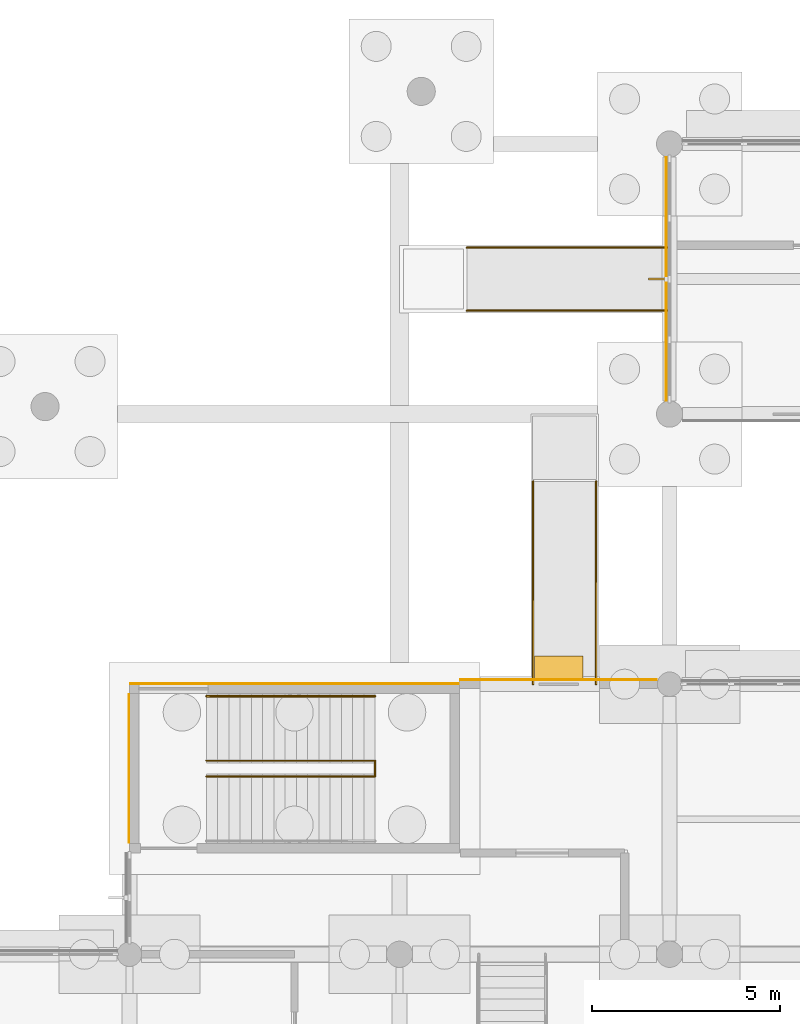
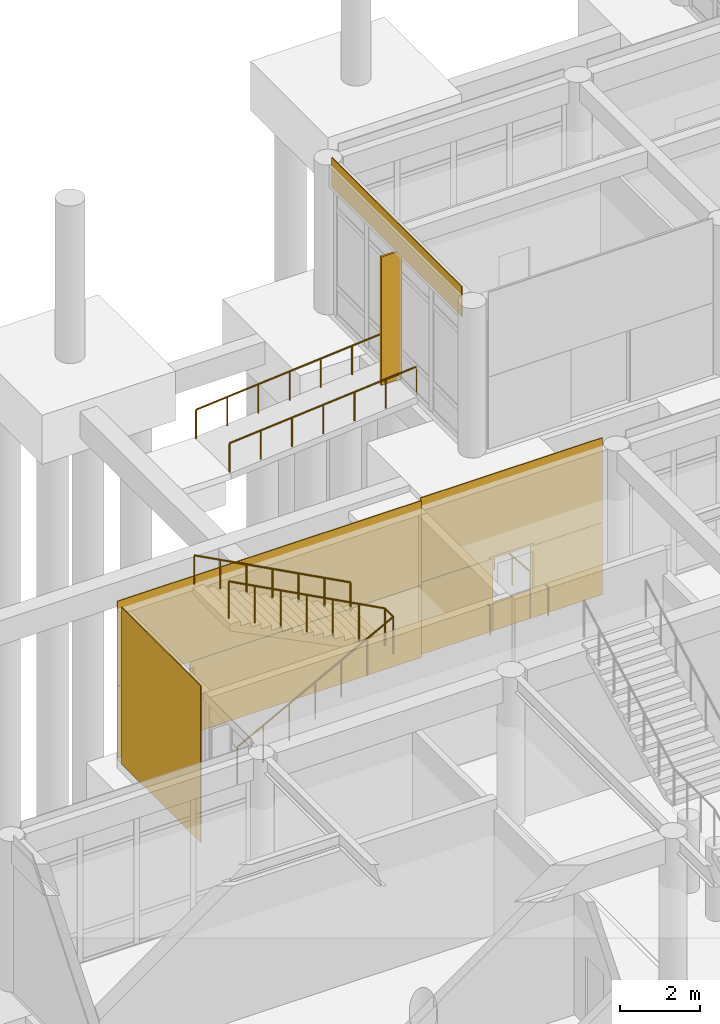
# One storey, part 88 of 103: 9 coverings, 6 railings, 2 shading devices.
"""IFC4 building model written with IfcOpenShell, lengths in metres."""

import ifcopenshell
import ifcopenshell.guid

model = None  # the IFC model being written
_history = None  # IfcOwnerHistory: only IFC2X3 demands one
_inside = {}  # id of a spatial element -> (the spatial element, [elements in it])
_under = {}  # id of a project, library or spatial element -> (it, [spatial elements below it])
_declared = {}  # id of a project -> (the project, [libraries it declares])
_typed = {}  # id of a type object -> (the type object, [elements of that type])
_made_of = {}  # id of a material, layer set ... -> (it, [elements and type objects made of it])


def new_model(schema):
    """Start an empty IFC model of exactly this schema.

    Asked for "IFC4X3", IfcOpenShell would pick the latest addendum, in which some entities
    have other attributes; the version numbers below select the first issue.
    IFC2X3 requires an IfcOwnerHistory on every rooted entity: one is made here for all.
    """
    global model, _history
    if schema == "IFC4X3":
        model = ifcopenshell.file(schema_version=(4, 3, 0, 0))
    else:
        model = ifcopenshell.file(schema=schema)
    _inside.clear()
    _under.clear()
    _declared.clear()
    _typed.clear()
    _made_of.clear()
    _history = None
    if model.schema == "IFC2X3":
        org = make("IfcOrganization", Name="unknown")
        user = make(
            "IfcPersonAndOrganization",
            ThePerson=make("IfcPerson", FamilyName="unknown"),
            TheOrganization=org,
        )
        app = make(
            "IfcApplication",
            ApplicationDeveloper=org,
            Version="unknown",
            ApplicationFullName="unknown",
            ApplicationIdentifier="unknown",
        )
        _history = make(
            "IfcOwnerHistory",
            OwningUser=user,
            OwningApplication=app,
            ChangeAction="ADDED",
            CreationDate=0,
        )
    return model


def make(cls, **values):
    """One entity of the class cls with the attributes given. An attribute that is None is left unset."""
    return model.create_entity(
        cls, **{name: value for name, value in values.items() if value is not None}
    )


def rooted(cls, **values):
    """An entity with a GlobalId (a new one), such as an element, a storey or a relation."""
    return make(cls, GlobalId=ifcopenshell.guid.new(), OwnerHistory=_history, **values)


def si_unit(unit_type, name, prefix=None):
    """IfcSIUnit, for example si_unit("LENGTHUNIT", "METRE", prefix="MILLI")."""
    return make("IfcSIUnit", UnitType=unit_type, Prefix=prefix, Name=name)


def assignment(units):
    """IfcUnitAssignment: the units of a project."""
    return None if units is None else make("IfcUnitAssignment", Units=units)


def point(xyz):
    """IfcCartesianPoint."""
    return None if xyz is None else make("IfcCartesianPoint", Coordinates=xyz)


def direction(xyz):
    """IfcDirection."""
    return None if xyz is None else make("IfcDirection", DirectionRatios=xyz)


def frame(location, z_axis=None, x_axis=None):
    """IfcAxis2Placement3D, a coordinate frame: its origin and axes. An axis left out is left unset."""
    return make(
        "IfcAxis2Placement3D",
        Location=point(location),
        Axis=direction(z_axis),
        RefDirection=direction(x_axis),
    )


def frame_2d(location, x_axis=None):
    """IfcAxis2Placement2D, a coordinate frame in the plane: its origin and x axis."""
    return make(
        "IfcAxis2Placement2D", Location=point(location), RefDirection=direction(x_axis)
    )


def origin():
    """The frame at (0, 0, 0) with its axes left unset."""
    return frame((0.0, 0.0, 0.0))


def origin_2d():
    """The frame at (0, 0) in the plane with its x axis left unset."""
    return frame_2d((0.0, 0.0))


def place(relative_to, where):
    """IfcLocalPlacement: puts the frame where relative to a parent placement (None: the world)."""
    return make(
        "IfcLocalPlacement", PlacementRelTo=relative_to, RelativePlacement=where
    )


def context(
    kind, dimensions, precision=None, world=None, true_north=None, identifier=None
):
    """IfcGeometricRepresentationContext, for example the 3D "Model" context."""
    return make(
        "IfcGeometricRepresentationContext",
        ContextIdentifier=identifier,
        ContextType=kind,
        CoordinateSpaceDimension=dimensions,
        Precision=precision,
        WorldCoordinateSystem=world,
        TrueNorth=true_north,
    )


def subcontext(parent, identifier, kind, view, scale=None):
    """IfcGeometricRepresentationSubContext, for example "Body" below "Model"."""
    return make(
        "IfcGeometricRepresentationSubContext",
        ContextIdentifier=identifier,
        ContextType=kind,
        ParentContext=parent,
        TargetScale=scale,
        TargetView=view,
    )


def project(units=None, contexts=None):
    """IfcProject with its units and contexts."""
    return rooted(
        "IfcProject",
        Name="project",
        RepresentationContexts=contexts,
        UnitsInContext=assignment(units),
    )


def spatial(cls, under=None, at=None, **own):
    """A site, building, storey or space (cls), placed at a placement, below another one or the project."""
    s = rooted(cls, ObjectPlacement=at, **own)
    if under is not None:
        _under.setdefault(under.id(), (under, []))[1].append(s)
    return s


def profile(cls, at=None, kind="AREA", **sizes):
    """A parametric profile (cls). Its sizes go by their IFC names, for example OverallWidth=200.0."""
    return make(cls, ProfileType=kind, Position=at, **sizes)


def rectangle(**sizes):
    """IfcRectangleProfileDef."""
    return profile("IfcRectangleProfileDef", **sizes)


def circle(**sizes):
    """IfcCircleProfileDef."""
    return profile("IfcCircleProfileDef", **sizes)


def extrude(swept, where, along, depth):
    """IfcExtrudedAreaSolid: the profile swept, set in the frame where, extruded along a direction by depth."""
    return make(
        "IfcExtrudedAreaSolid",
        SweptArea=swept,
        Position=where,
        ExtrudedDirection=direction(along),
        Depth=depth,
    )


def shape(context_of_items, identifier, shape_type, items):
    """IfcShapeRepresentation: the items that make up one representation, for example the "Body"."""
    return make(
        "IfcShapeRepresentation",
        ContextOfItems=context_of_items,
        RepresentationIdentifier=identifier,
        RepresentationType=shape_type,
        Items=items,
    )


def material(Name=None, Category=None):
    """IfcMaterial."""
    return make("IfcMaterial", Name=Name, Category=Category)


def layer(
    of_material, thickness, ventilated=None, Name=None, Category=None, Priority=None
):
    """IfcMaterialLayer: one layer of a wall or slab, of a material (None: an air gap)."""
    return make(
        "IfcMaterialLayer",
        Material=of_material,
        LayerThickness=thickness,
        IsVentilated=ventilated,
        Name=Name,
        Category=Category,
        Priority=Priority,
    )


def layer_set(layers, Name=None):
    """IfcMaterialLayerSet."""
    return make("IfcMaterialLayerSet", MaterialLayers=layers, LayerSetName=Name)


def made_of(thing, what):
    """Note that an element or type object is made of a material, layer set ...; save() writes the relation."""
    if what is not None:
        _made_of.setdefault(what.id(), (what, []))[1].append(thing)
    return thing


def type_object(cls, material=None, **own):
    """A type object (cls), such as IfcWallType, which elements share."""
    return made_of(rooted(cls, **own), material)


def element(
    cls,
    number,
    at=None,
    inside=None,
    cuts=None,
    type_object=None,
    material=None,
    context=None,
    identifier="Body",
    shape_type=None,
    held_by="IfcProductDefinitionShape",
    body=None,
    shapes=None,
    **own,
):
    """One element of the class cls, such as IfcWall. Its Tag is "e" and its number.

    at: its placement. inside: the storey or other place that contains it. cuts: it is an
    opening in that element (IfcRelVoidsElement). A single representation is given by context,
    identifier, shape_type and body (its items); several are given by shapes. held_by: the class
    of the entity that holds the representations. save() writes the other relations.
    """
    e = rooted(cls, Tag="e%d" % number, ObjectPlacement=at, **own)
    if body is not None:
        shapes = [shape(context, identifier, shape_type, body)]
    if shapes is not None:
        e.Representation = make(held_by, Representations=shapes)
    if inside is not None:
        _inside.setdefault(inside.id(), (inside, []))[1].append(e)
    if cuts is not None:
        rooted(
            "IfcRelVoidsElement", RelatingBuildingElement=cuts, RelatedOpeningElement=e
        )
    if type_object is not None:
        _typed.setdefault(type_object.id(), (type_object, []))[1].append(e)
    return made_of(e, material)


def aggregate(whole, parts):
    """IfcRelAggregates: a whole, such as a stair, and the parts it consists of."""
    return rooted("IfcRelAggregates", RelatingObject=whole, RelatedObjects=parts)


def save(model, path):
    """Write the relations noted so far, then the file.

    IfcRelAggregates (storeys below a building ...), IfcRelContainedInSpatialStructure (elements
    in a storey), IfcRelDefinesByType, IfcRelAssociatesMaterial and IfcRelDeclares: one each for
    every whole, place, type object, material and project.
    """
    for whole, parts in _under.values():
        aggregate(whole, parts)
    for where, things in _inside.values():
        rooted(
            "IfcRelContainedInSpatialStructure",
            RelatedElements=things,
            RelatingStructure=where,
        )
    for kind, things in _typed.values():
        rooted("IfcRelDefinesByType", RelatedObjects=things, RelatingType=kind)
    for what, things in _made_of.values():
        rooted("IfcRelAssociatesMaterial", RelatedObjects=things, RelatingMaterial=what)
    for by, libraries in _declared.values():
        rooted("IfcRelDeclares", RelatingContext=by, RelatedDefinitions=libraries)
    model.write(path)


model = new_model("IFC4")

# Units and contexts
model_context = context("Model", 3, precision=1e-05, world=origin(), true_north=direction((0.0, 1.0)))
body_context = subcontext(model_context, "Body", "Model", "MODEL_VIEW")
ifc_project = project(units=[si_unit("LENGTHUNIT", "METRE"), si_unit("AREAUNIT", "SQUARE_METRE"), si_unit("VOLUMEUNIT", "CUBIC_METRE"), si_unit("PLANEANGLEUNIT", "RADIAN"), si_unit("MASSUNIT", "GRAM", prefix="KILO")], contexts=[model_context])

# Site, building, storey
site_placement = place(None, origin())
site = spatial("IfcSite", under=ifc_project, at=site_placement, CompositionType="ELEMENT")
building_placement = place(site_placement, origin())
building = spatial("IfcBuilding", under=site, at=building_placement, Name="Namkhue Oval Health Centre", CompositionType="ELEMENT")
storey_placement = place(building_placement, origin())
storey = spatial("IfcBuildingStorey", under=building, at=storey_placement, Name="L00", CompositionType="ELEMENT", Elevation=0.0)

# Railings
ifc_material_1 = material(Name="Brushed stainless steel 304 tubular handrail", Category="steel")
railing_type_1 = type_object("IfcRailingType", Name="EXTERIOR RAMP HANDRAIL 900", PredefinedType="HANDRAIL", material=ifc_material_1)
for number, where, name in (
    (1, (34.0400390625, 88.199951171875, -0.449951171875), "Health Cafe North Forecourt Ramp Handrail L"),
    (2, (32.360107421875, 88.199951171875, -0.449951171875), "Health Cafe North Forecourt Ramp Handrail R"),
):
    element("IfcRailing", number, at=place(storey_placement, frame(where)), inside=storey, type_object=railing_type_1, Name=name, PredefinedType="HANDRAIL", context=body_context, shape_type="SweptSolid", body=[
        extrude(circle(Radius=0.02392578125, at=origin_2d()), frame((0.0, 0.0, 0.8759765625), z_axis=(0.0, -0.996546379678, 0.083038022323), x_axis=(1.0, 0.0, 0.0)), (0.0, 0.0, 1.0), 5.418701171875),
        extrude(circle(Radius=0.02099609375, at=origin_2d()), origin(), (0.0, 0.0, 1.0), 0.851806640625),
        extrude(circle(Radius=0.02099609375, at=origin_2d()), frame((0.0, -0.89990234375, 0.074951171875)), (0.0, 0.0, 1.0), 0.851806640625),
        extrude(circle(Radius=0.02099609375, at=origin_2d()), frame((0.0, -1.800048828125, 0.14990234375)), (0.0, 0.0, 1.0), 0.851806640625),
        extrude(circle(Radius=0.02099609375, at=origin_2d()), frame((0.0, -2.699951171875, 0.22509765625)), (0.0, 0.0, 1.0), 0.851806640625),
        extrude(circle(Radius=0.02099609375, at=origin_2d()), frame((0.0, -3.599853515625, 0.300048828125)), (0.0, 0.0, 1.0), 0.851806640625),
        extrude(circle(Radius=0.02099609375, at=origin_2d()), frame((0.0, -4.5, 0.375)), (0.0, 0.0, 1.0), 0.851806640625),
        extrude(circle(Radius=0.02099609375, at=origin_2d()), frame((0.0, -5.39990234375, 0.449951171875)), (0.0, 0.0, 1.0), 0.851806640625),
    ])
for number, where, name in (
    (3, (30.60009765625, 94.43994140625, -0.449951171875), "North GP Clinic West Arrival Ramp Handrail L"),
    (4, (30.60009765625, 92.760009765625, -0.449951171875), "North GP Clinic West Arrival Ramp Handrail R"),
):
    element("IfcRailing", number, at=place(storey_placement, frame(where)), inside=storey, type_object=railing_type_1, Name=name, PredefinedType="HANDRAIL", context=body_context, shape_type="SweptSolid", body=[
        extrude(circle(Radius=0.02392578125, at=origin_2d()), frame((0.0, 0.0, 0.8759765625), z_axis=(0.996546379678, 0.0, 0.083038022323), x_axis=(0.0, 1.0, 0.0)), (0.0, 0.0, 1.0), 5.418701171875),
        extrude(circle(Radius=0.02099609375, at=origin_2d()), origin(), (0.0, 0.0, 1.0), 0.851806640625),
        extrude(circle(Radius=0.02099609375, at=origin_2d()), frame((0.89990234375, 0.0, 0.074951171875)), (0.0, 0.0, 1.0), 0.851806640625),
        extrude(circle(Radius=0.02099609375, at=origin_2d()), frame((1.800048828125, 0.0, 0.14990234375)), (0.0, 0.0, 1.0), 0.851806640625),
        extrude(circle(Radius=0.02099609375, at=origin_2d()), frame((2.699951171875, 0.0, 0.22509765625)), (0.0, 0.0, 1.0), 0.851806640625),
        extrude(circle(Radius=0.02099609375, at=origin_2d()), frame((3.599853515625, 0.0, 0.300048828125)), (0.0, 0.0, 1.0), 0.851806640625),
        extrude(circle(Radius=0.02099609375, at=origin_2d()), frame((4.5, 0.0, 0.375)), (0.0, 0.0, 1.0), 0.851806640625),
        extrude(circle(Radius=0.02099609375, at=origin_2d()), frame((5.39990234375, 0.0, 0.449951171875)), (0.0, 0.0, 1.0), 0.851806640625),
    ])
ifc_material_2 = material(Name="Brushed stainless steel 316L balustrade with laminated glass infill", Category="steel")
railing_type_2 = type_object("IfcRailingType", Name="INTERIOR BALUSTRADE GUARD 1150", PredefinedType="BALUSTRADE", material=ifc_material_2)
railing_1_placement = place(storey_placement, frame((23.64990234375, 80.340087890625, 0.0)))
element("IfcRailing", 5, at=railing_1_placement, inside=storey, type_object=railing_type_2, Name="Stair ST-02 L00 Inner Well Guard", PredefinedType="BALUSTRADE", context=body_context, shape_type="SweptSolid", body=[
    extrude(circle(Radius=0.02392578125, at=origin_2d()), frame((0.0, 0.0, 1.1259765625), z_axis=(0.882360891967, 0.0, 0.470573327259), x_axis=(0.0, 1.0, 0.0)), (0.0, 0.0, 1.0), 5.099853515625),
    extrude(circle(Radius=0.02392578125, at=origin_2d()), frame((4.5, 0.0, 3.52587890625), z_axis=(0.0, 1.0, 0.0), x_axis=(-1.0, 0.0, 0.0)), (0.0, 0.0, 1.0), 0.419921875),
    extrude(circle(Radius=0.02392578125, at=origin_2d()), frame((4.5, 0.419921875, 3.52587890625), z_axis=(-0.882341014787, 0.0, 0.470610596591), x_axis=(0.0, -1.0, 0.0)), (0.0, 0.0, 1.0), 5.10009765625),
    extrude(circle(Radius=0.02099609375, at=origin_2d()), origin(), (0.0, 0.0, 1.0), 1.101806640625),
    extrude(circle(Radius=0.02099609375, at=origin_2d()), frame((0.75, 0.0, 0.39990234375)), (0.0, 0.0, 1.0), 1.101806640625),
    extrude(circle(Radius=0.02099609375, at=origin_2d()), frame((1.5, 0.0, 0.800048828125)), (0.0, 0.0, 1.0), 1.101806640625),
    extrude(circle(Radius=0.02099609375, at=origin_2d()), frame((2.25, 0.0, 1.199951171875)), (0.0, 0.0, 1.0), 1.101806640625),
    extrude(circle(Radius=0.02099609375, at=origin_2d()), frame((3.0, 0.0, 1.599853515625)), (0.0, 0.0, 1.0), 1.101806640625),
    extrude(circle(Radius=0.02099609375, at=origin_2d()), frame((3.75, 0.0, 2.0)), (0.0, 0.0, 1.0), 1.101806640625),
    extrude(circle(Radius=0.02099609375, at=origin_2d()), frame((4.5, 0.0, 2.39990234375)), (0.0, 0.0, 1.0), 1.101806640625),
    extrude(circle(Radius=0.02099609375, at=origin_2d()), frame((4.5, 0.419921875, 2.39990234375)), (0.0, 0.0, 1.0), 1.101806640625),
    extrude(circle(Radius=0.02099609375, at=origin_2d()), frame((3.75, 0.419921875, 2.7998046875)), (0.0, 0.0, 1.0), 1.101806640625),
    extrude(circle(Radius=0.02099609375, at=origin_2d()), frame((3.0, 0.419921875, 3.199951171875)), (0.0, 0.0, 1.0), 1.101806640625),
    extrude(circle(Radius=0.02099609375, at=origin_2d()), frame((2.25, 0.419921875, 3.60009765625)), (0.0, 0.0, 1.0), 1.101806640625),
    extrude(circle(Radius=0.02099609375, at=origin_2d()), frame((1.5, 0.419921875, 4.0)), (0.0, 0.0, 1.0), 1.101806640625),
    extrude(circle(Radius=0.02099609375, at=origin_2d()), frame((0.75, 0.419921875, 4.39990234375)), (0.0, 0.0, 1.0), 1.101806640625),
    extrude(circle(Radius=0.02099609375, at=origin_2d()), frame((0.0, 0.419921875, 4.800048828125)), (0.0, 0.0, 1.0), 1.101806640625),
])
railing_type_3 = type_object("IfcRailingType", Name="INTERIOR STAIR HANDRAIL 900", PredefinedType="HANDRAIL", material=ifc_material_1)
railing_2_placement = place(storey_placement, frame((28.14990234375, 82.47998046875, 2.39990234375)))
element("IfcRailing", 6, at=railing_2_placement, inside=storey, type_object=railing_type_3, Name="Stair ST-02 L00 Flight 2 Handrail", PredefinedType="HANDRAIL", context=body_context, shape_type="SweptSolid", body=[
    extrude(circle(Radius=0.02392578125, at=origin_2d()), frame((0.0, 0.0, 0.8759765625), z_axis=(-0.882341014787, 0.0, 0.470610596591), x_axis=(0.0, -1.0, 0.0)), (0.0, 0.0, 1.0), 5.10009765625),
    extrude(circle(Radius=0.02099609375, at=origin_2d()), origin(), (0.0, 0.0, 1.0), 0.851806640625),
    extrude(circle(Radius=0.02099609375, at=origin_2d()), frame((-0.75, 0.0, 0.39990234375)), (0.0, 0.0, 1.0), 0.851806640625),
    extrude(circle(Radius=0.02099609375, at=origin_2d()), frame((-1.5, 0.0, 0.800048828125)), (0.0, 0.0, 1.0), 0.851806640625),
    extrude(circle(Radius=0.02099609375, at=origin_2d()), frame((-2.25, 0.0, 1.2001953125)), (0.0, 0.0, 1.0), 0.851806640625),
    extrude(circle(Radius=0.02099609375, at=origin_2d()), frame((-3.0, 0.0, 1.60009765625)), (0.0, 0.0, 1.0), 0.851806640625),
    extrude(circle(Radius=0.02099609375, at=origin_2d()), frame((-3.75, 0.0, 2.0)), (0.0, 0.0, 1.0), 0.851806640625),
    extrude(circle(Radius=0.02099609375, at=origin_2d()), frame((-4.5, 0.0, 2.400146484375)), (0.0, 0.0, 1.0), 0.851806640625),
])

# Shading devices
ifc_material_3 = material(Name="Anodised aluminium EN AW-6063 T6", Category="aluminium")
ifc_layer_1 = layer(ifc_material_3, 0.050048828125)
ifc_layer_set_1 = layer_set([ifc_layer_1], Name="Anodised aluminium EN AW-6063 T6")
shading_device_type_1 = type_object("IfcShadingDeviceType", Name="STORM SHUTTER LOUVRE 650", PredefinedType="SHUTTER", material=ifc_layer_set_1)
shading_device_1_placement = place(storey_placement, frame((33.041015625, 83.22509765625, 2.219970703125), z_axis=(0.0, 0.0, 1.0), x_axis=(-1.0, 0.0, 0.0)))
element("IfcShadingDevice", 7, at=shading_device_1_placement, inside=storey, type_object=shading_device_type_1, Name="Volume V1 L00 Window Monsoon Louvre 15", PredefinedType="SHUTTER", context=body_context, shape_type="SweptSolid", body=[
    extrude(rectangle(XDim=1.2900390625, YDim=0.64990234375, at=origin_2d()), origin(), (0.0, 0.0, 1.0), 0.06005859375),
])
shading_device_type_2 = type_object("IfcShadingDeviceType", Name="VERTICAL SOLAR FIN 600", PredefinedType="USERDEFINED", material=ifc_material_3)
shading_device_2_placement = place(storey_placement, frame((35.739990234375, 93.60009765625, 0.0), z_axis=(0.0, 0.0, 1.0), x_axis=(-1.0, 0.0, 0.0)))
element("IfcShadingDevice", 8, at=shading_device_2_placement, inside=storey, type_object=shading_device_type_2, Name="Volume V2 L00 Extruded Aluminium Solar Fin 59", ObjectType="SOLAR FIN", PredefinedType="USERDEFINED", context=body_context, shape_type="SweptSolid", body=[
    extrude(rectangle(XDim=0.60009765625, YDim=0.06005859375, at=origin_2d()), origin(), (0.0, 0.0, 1.0), 3.909912109375),
])

# Coverings
ifc_material_4 = material(Name="White glass-fibre reinforced concrete GRC rainscreen cladding", Category="concrete")
ifc_layer_2 = layer(ifc_material_4, 0.02490234375)
ifc_layer_set_2 = layer_set([ifc_layer_2], Name="White glass-fibre reinforced concrete GRC rainscreen cladding")
covering_type = type_object("IfcCoveringType", Name="WHITE GRC RAINSCREEN CLADDING 25", PredefinedType="CLADDING", material=ifc_layer_set_2)
covering_1_placement = place(storey_placement, frame((33.041015625, 82.922119140625, 2.21484375), z_axis=(0.0, 0.0, 1.0), x_axis=(-1.0, 0.0, 0.0)))
element("IfcCovering", 9, at=covering_1_placement, inside=storey, type_object=covering_type, Name="Volume V1 L00 Facade 5 White GRC Cladding 1", PredefinedType="CLADDING", context=body_context, shape_type="SweptSolid", body=[
    extrude(rectangle(XDim=5.238037109375, YDim=0.02490234375, at=origin_2d()), origin(), (0.0, 0.0, 1.0), 2.574951171875),
])
covering_2_placement = place(storey_placement, frame((34.62060546875, 82.922119140625, 0.01025390625), z_axis=(0.0, 0.0, 1.0), x_axis=(-1.0, 0.0, 0.0)))
element("IfcCovering", 10, at=covering_2_placement, inside=storey, type_object=covering_type, Name="Volume V1 L00 Facade 5 White GRC Cladding 2", PredefinedType="CLADDING", context=body_context, shape_type="SweptSolid", body=[
    extrude(rectangle(XDim=2.0791015625, YDim=0.02490234375, at=origin_2d()), origin(), (0.0, 0.0, 1.0), 2.199951171875),
])
covering_3_placement = place(storey_placement, frame((33.041015625, 82.922119140625, 0.010009765625), z_axis=(0.0, 0.0, 1.0), x_axis=(-1.0, 0.0, 0.0)))
element("IfcCovering", 11, at=covering_3_placement, inside=storey, type_object=covering_type, Name="Volume V1 L00 Facade 5 White GRC Cladding 3", PredefinedType="CLADDING", context=body_context, shape_type="SweptSolid", body=[
    extrude(rectangle(XDim=1.070068359375, YDim=0.02490234375, at=origin_2d()), origin(), (0.0, 0.0, 1.0), 0.875),
])
covering_4_placement = place(storey_placement, frame((31.46142578125, 82.922119140625, 0.01025390625), z_axis=(0.0, 0.0, 1.0), x_axis=(-1.0, 0.0, 0.0)))
element("IfcCovering", 12, at=covering_4_placement, inside=storey, type_object=covering_type, Name="Volume V1 L00 Facade 5 White GRC Cladding 4", PredefinedType="CLADDING", context=body_context, shape_type="SweptSolid", body=[
    extrude(rectangle(XDim=2.0791015625, YDim=0.02490234375, at=origin_2d()), origin(), (0.0, 0.0, 1.0), 2.199951171875),
])
covering_5_placement = place(storey_placement, frame((35.91162109375, 93.60009765625, 3.89501953125), z_axis=(0.0, 0.0, 1.0), x_axis=(0.0, -1.0, 0.0)))
element("IfcCovering", 13, at=covering_5_placement, inside=storey, type_object=covering_type, Name="Volume V2 L00 Curtain Wall Spandrel Cladding 46", PredefinedType="CLADDING", context=body_context, shape_type="SweptSolid", body=[
    extrude(rectangle(XDim=6.5, YDim=0.02490234375, at=origin_2d()), origin(), (0.0, 0.0, 1.0), 0.905029296875),
])
covering_6_placement = place(storey_placement, frame((26.0, 82.81201171875, 2.21484375), z_axis=(0.0, 0.0, 1.0), x_axis=(-1.0, 0.0, 0.0)))
element("IfcCovering", 14, at=covering_6_placement, inside=storey, type_object=covering_type, Name="Core SC-02 L00 Core N White GRC Cladding 1", PredefinedType="CLADDING", context=body_context, shape_type="SweptSolid", body=[
    extrude(rectangle(XDim=8.760009765625, YDim=0.02490234375, at=origin_2d()), origin(), (0.0, 0.0, 1.0), 2.574951171875),
])
covering_7_placement = place(storey_placement, frame((27.047607421875, 82.81201171875, 0.01025390625), z_axis=(0.0, 0.0, 1.0), x_axis=(-1.0, 0.0, 0.0)))
element("IfcCovering", 15, at=covering_7_placement, inside=storey, type_object=covering_type, Name="Core SC-02 L00 Core N White GRC Cladding 2", PredefinedType="CLADDING", context=body_context, shape_type="SweptSolid", body=[
    extrude(rectangle(XDim=6.6650390625, YDim=0.02490234375, at=origin_2d()), origin(), (0.0, 0.0, 1.0), 2.199951171875),
])
covering_8_placement = place(storey_placement, frame((21.7275390625, 82.81201171875, 0.01025390625), z_axis=(0.0, 0.0, 1.0), x_axis=(-1.0, 0.0, 0.0)))
element("IfcCovering", 16, at=covering_8_placement, inside=storey, type_object=covering_type, Name="Core SC-02 L00 Core N White GRC Cladding 3", PredefinedType="CLADDING", context=body_context, shape_type="SweptSolid", body=[
    extrude(rectangle(XDim=0.215087890625, YDim=0.02490234375, at=origin_2d()), origin(), (0.0, 0.0, 1.0), 2.199951171875),
])
covering_9_placement = place(storey_placement, frame((21.587890625, 80.550048828125, 0.009765625), z_axis=(0.0, 0.0, 1.0), x_axis=(0.0, -1.0, 0.0)))
element("IfcCovering", 17, at=covering_9_placement, inside=storey, type_object=covering_type, Name="Core SC-02 L00 Core W White GRC Cladding 1", PredefinedType="CLADDING", context=body_context, shape_type="SweptSolid", body=[
    extrude(rectangle(XDim=3.9599609375, YDim=0.02490234375, at=origin_2d()), origin(), (0.0, 0.0, 1.0), 4.780029296875),
])

save(model, "model.ifc")
